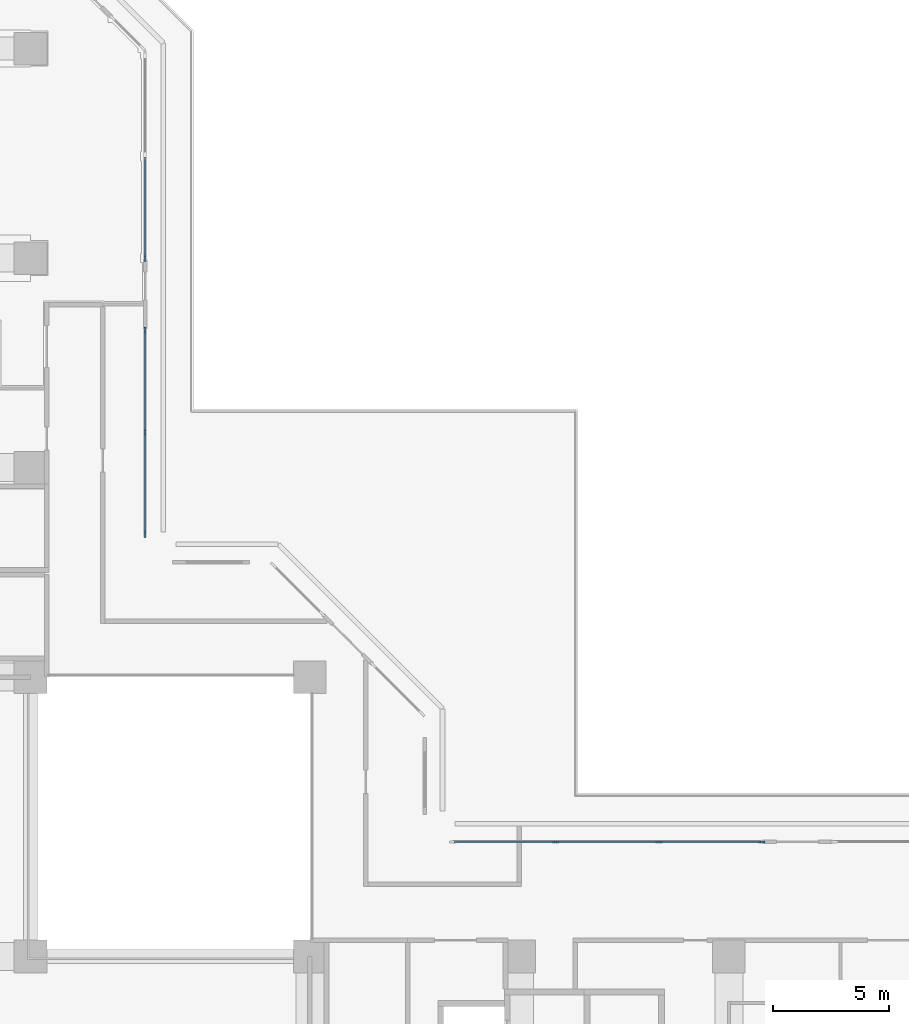
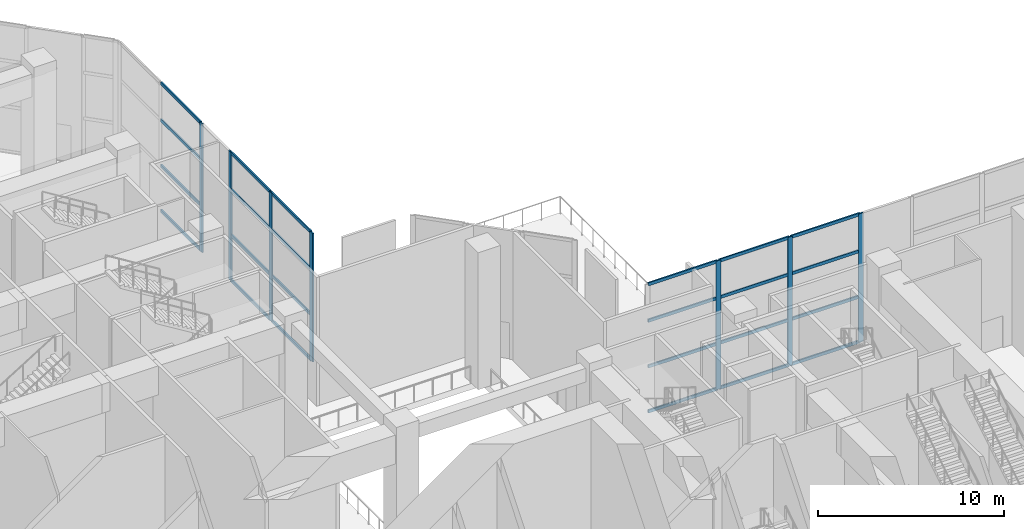
# One storey, part 5 of 28: 31 members, 3 elements without a shape of their own.
"""IFC4 building model written with IfcOpenShell, lengths in metres."""

from ifc_helpers import new_model, si_unit, direction, frame, origin, origin_2d, place, context, subcontext, project, spatial, rectangle, extrude, material, layer, layer_set, material_profile, profile_set, type_object, element, aggregate, save


model = new_model("IFC4")

# Units and contexts
model_context = context("Model", 3, precision=1e-05, world=origin(), true_north=direction((0.0, 1.0)))
body_context = subcontext(model_context, "Body", "Model", "MODEL_VIEW")
ifc_project = project(units=[si_unit("LENGTHUNIT", "METRE"), si_unit("AREAUNIT", "SQUARE_METRE"), si_unit("VOLUMEUNIT", "CUBIC_METRE"), si_unit("PLANEANGLEUNIT", "RADIAN"), si_unit("MASSUNIT", "GRAM", prefix="KILO")], contexts=[model_context])

# Site, building, storey
site_placement = place(None, origin())
site = spatial("IfcSite", under=ifc_project, at=site_placement, CompositionType="ELEMENT")
building_placement = place(site_placement, origin())
building = spatial("IfcBuilding", under=site, at=building_placement, Name="Chenar Terraces", CompositionType="ELEMENT")
storey_placement = place(building_placement, frame((0.0, 0.0, 26.39990234375)))
storey = spatial("IfcBuildingStorey", under=building, at=storey_placement, Name="L05", CompositionType="ELEMENT", Elevation=26.39990234375)

# Curtain wall, members
ifc_material_1 = material(Name="Aluminium framed glazing", Category="aluminium")
ifc_layer = layer(ifc_material_1, 0.14990234375)
ifc_layer_set = layer_set([ifc_layer], Name="Aluminium framed glazing")
curtain_wall_type = type_object("IfcCurtainWallType", Name="Hall curtain wall", PredefinedType="NOTDEFINED", material=ifc_layer_set)
placement = place(storey_placement, origin())
curtain_wall_1 = element("IfcCurtainWall", 1, at=placement, inside=storey, type_object=curtain_wall_type, Name="Hall curtain wall", PredefinedType="NOTDEFINED")
ifc_material_2 = material(Name="Aluminium", Category="aluminium")
ifc_material_profile_1 = material_profile(ifc_material_2, rectangle(XDim=0.090087890625, YDim=0.300048828125, at=origin_2d()), Name="Hall glazing mullion 90 x 300")
ifc_profile_set_1 = profile_set([ifc_material_profile_1], Name="Aluminium")
member_type_1 = type_object("IfcMemberType", Name="Hall glazing mullion 90 x 300", PredefinedType="MULLION", material=ifc_profile_set_1)
member_1_placement = place(storey_placement, frame((55.39208984375, 28.925048828125, 0.0), z_axis=(0.0, 0.0, 1.0), x_axis=(0.0, -1.0, 0.0)))
member_1 = element("IfcMember", 2, at=member_1_placement, type_object=member_type_1, Name="CW5-02c1 mullion 1", PredefinedType="MULLION", context=body_context, shape_type="SweptSolid", body=[
    extrude(rectangle(XDim=0.090087890625, YDim=0.300048828125, at=origin_2d()), origin(), (0.0, 0.0, 1.0), 8.4501953125),
])
member_2_placement = place(storey_placement, frame((50.991455078125, 28.925048828125, 0.0), z_axis=(0.0, 0.0, 1.0), x_axis=(0.0, -1.0, 0.0)))
member_2 = element("IfcMember", 3, at=member_2_placement, type_object=member_type_1, Name="CW5-02c1 mullion 2", PredefinedType="MULLION", context=body_context, shape_type="SweptSolid", body=[
    extrude(rectangle(XDim=0.090087890625, YDim=0.300048828125, at=origin_2d()), origin(), (0.0, 0.0, 1.0), 8.4501953125),
])
member_3_placement = place(storey_placement, frame((46.545654296875, 28.925048828125, 0.0), z_axis=(0.0, 0.0, 1.0), x_axis=(0.0, -1.0, 0.0)))
member_3 = element("IfcMember", 4, at=member_3_placement, type_object=member_type_1, Name="CW5-02c1 mullion 3", PredefinedType="MULLION", context=body_context, shape_type="SweptSolid", body=[
    extrude(rectangle(XDim=0.090087890625, YDim=0.300048828125, at=origin_2d()), origin(), (0.0, 0.0, 1.0), 8.4501953125),
])

curtain_wall_2 = element("IfcCurtainWall", 5, at=placement, inside=storey, type_object=curtain_wall_type, Name="Hall curtain wall", PredefinedType="NOTDEFINED")
member_4_placement = place(storey_placement, frame((28.925048828125, 42.144775390625, 0.0), z_axis=(0.0, 0.0, 1.0), x_axis=(-1.0, 0.0, 0.0)))
member_4 = element("IfcMember", 6, at=member_4_placement, type_object=member_type_1, Name="CW5-06c0 mullion 1", PredefinedType="MULLION", context=body_context, shape_type="SweptSolid", body=[
    extrude(rectangle(XDim=0.090087890625, YDim=0.300048828125, at=origin_2d()), origin(), (0.0, 0.0, 1.0), 8.4501953125),
])
member_5_placement = place(storey_placement, frame((28.925048828125, 46.5185546875, 0.0), z_axis=(0.0, 0.0, 1.0), x_axis=(-1.0, 0.0, 0.0)))
member_5 = element("IfcMember", 7, at=member_5_placement, type_object=member_type_1, Name="CW5-06c0 mullion 2", PredefinedType="MULLION", context=body_context, shape_type="SweptSolid", body=[
    extrude(rectangle(XDim=0.090087890625, YDim=0.300048828125, at=origin_2d()), origin(), (0.0, 0.0, 1.0), 8.4501953125),
])
member_6_placement = place(storey_placement, frame((28.925048828125, 50.89208984375, 0.0), z_axis=(0.0, 0.0, 1.0), x_axis=(-1.0, 0.0, 0.0)))
member_6 = element("IfcMember", 8, at=member_6_placement, type_object=member_type_1, Name="CW5-06c0 mullion 3", PredefinedType="MULLION", context=body_context, shape_type="SweptSolid", body=[
    extrude(rectangle(XDim=0.090087890625, YDim=0.300048828125, at=origin_2d()), origin(), (0.0, 0.0, 1.0), 8.4501953125),
])

# Curtain wall, member
curtain_wall_3 = element("IfcCurtainWall", 9, at=placement, inside=storey, type_object=curtain_wall_type, Name="Hall curtain wall", PredefinedType="NOTDEFINED")
member_7_placement = place(storey_placement, frame((28.925048828125, 54.007080078125, 0.0), z_axis=(0.0, 0.0, 1.0), x_axis=(-1.0, 0.0, 0.0)))
member_7 = element("IfcMember", 10, at=member_7_placement, type_object=member_type_1, Name="CW5-06c1 mullion 1", PredefinedType="MULLION", context=body_context, shape_type="SweptSolid", body=[
    extrude(rectangle(XDim=0.090087890625, YDim=0.300048828125, at=origin_2d()), origin(), (0.0, 0.0, 1.0), 8.4501953125),
])

# Member
ifc_material_3 = material(Name="Aluminium", Category="aluminium")
ifc_material_profile_2 = material_profile(ifc_material_3, rectangle(XDim=0.090087890625, YDim=0.199951171875, at=origin_2d()), Name="Hall glazing transom 90 x 200")
ifc_profile_set_2 = profile_set([ifc_material_profile_2], Name="Aluminium")
member_type_2 = type_object("IfcMemberType", Name="Hall glazing transom 90 x 200", PredefinedType="USERDEFINED", material=ifc_profile_set_2)
member_8_placement = place(storey_placement, frame((55.34716796875, 28.925048828125, 0.045166015625), z_axis=(-1.0, 0.0, 0.0), x_axis=(0.0, -1.0, 0.0)))
member_8 = element("IfcMember", 11, at=member_8_placement, type_object=member_type_2, Name="CW5-02c1 transom 1.1", ObjectType="TRANSOM", PredefinedType="USERDEFINED", context=body_context, shape_type="SweptSolid", body=[
    extrude(rectangle(XDim=0.090087890625, YDim=0.199951171875, at=origin_2d()), origin(), (0.0, 0.0, 1.0), 4.310791015625),
])

member_9_placement = place(storey_placement, frame((55.34716796875, 28.925048828125, 3.0), z_axis=(-1.0, 0.0, 0.0), x_axis=(0.0, -1.0, 0.0)))
member_9 = element("IfcMember", 12, at=member_9_placement, type_object=member_type_2, Name="CW5-02c1 transom 1.2", ObjectType="TRANSOM", PredefinedType="USERDEFINED", context=body_context, shape_type="SweptSolid", body=[
    extrude(rectangle(XDim=0.090087890625, YDim=0.199951171875, at=origin_2d()), origin(), (0.0, 0.0, 1.0), 4.310791015625),
])

member_10_placement = place(storey_placement, frame((55.34716796875, 28.925048828125, 6.0), z_axis=(-1.0, 0.0, 0.0), x_axis=(0.0, -1.0, 0.0)))
member_10 = element("IfcMember", 13, at=member_10_placement, type_object=member_type_2, Name="CW5-02c1 transom 1.3", ObjectType="TRANSOM", PredefinedType="USERDEFINED", context=body_context, shape_type="SweptSolid", body=[
    extrude(rectangle(XDim=0.090087890625, YDim=0.199951171875, at=origin_2d()), origin(), (0.0, 0.0, 1.0), 4.310791015625),
])

member_11_placement = place(storey_placement, frame((55.34716796875, 28.925048828125, 8.405029296875), z_axis=(-1.0, 0.0, 0.0), x_axis=(0.0, -1.0, 0.0)))
member_11 = element("IfcMember", 14, at=member_11_placement, type_object=member_type_2, Name="CW5-02c1 transom 1.4", ObjectType="TRANSOM", PredefinedType="USERDEFINED", context=body_context, shape_type="SweptSolid", body=[
    extrude(rectangle(XDim=0.090087890625, YDim=0.199951171875, at=origin_2d()), origin(), (0.0, 0.0, 1.0), 4.310791015625),
])

member_12_placement = place(storey_placement, frame((50.9462890625, 28.925048828125, 0.045166015625), z_axis=(-1.0, 0.0, 0.0), x_axis=(0.0, -1.0, 0.0)))
member_12 = element("IfcMember", 15, at=member_12_placement, type_object=member_type_2, Name="CW5-02c1 transom 2.1", ObjectType="TRANSOM", PredefinedType="USERDEFINED", context=body_context, shape_type="SweptSolid", body=[
    extrude(rectangle(XDim=0.090087890625, YDim=0.199951171875, at=origin_2d()), origin(), (0.0, 0.0, 1.0), 4.355712890625),
])

member_13_placement = place(storey_placement, frame((50.9462890625, 28.925048828125, 3.0), z_axis=(-1.0, 0.0, 0.0), x_axis=(0.0, -1.0, 0.0)))
member_13 = element("IfcMember", 16, at=member_13_placement, type_object=member_type_2, Name="CW5-02c1 transom 2.2", ObjectType="TRANSOM", PredefinedType="USERDEFINED", context=body_context, shape_type="SweptSolid", body=[
    extrude(rectangle(XDim=0.090087890625, YDim=0.199951171875, at=origin_2d()), origin(), (0.0, 0.0, 1.0), 4.355712890625),
])

member_14_placement = place(storey_placement, frame((50.9462890625, 28.925048828125, 6.0), z_axis=(-1.0, 0.0, 0.0), x_axis=(0.0, -1.0, 0.0)))
member_14 = element("IfcMember", 17, at=member_14_placement, type_object=member_type_2, Name="CW5-02c1 transom 2.3", ObjectType="TRANSOM", PredefinedType="USERDEFINED", context=body_context, shape_type="SweptSolid", body=[
    extrude(rectangle(XDim=0.090087890625, YDim=0.199951171875, at=origin_2d()), origin(), (0.0, 0.0, 1.0), 4.355712890625),
])

member_15_placement = place(storey_placement, frame((50.9462890625, 28.925048828125, 8.405029296875), z_axis=(-1.0, 0.0, 0.0), x_axis=(0.0, -1.0, 0.0)))
member_15 = element("IfcMember", 18, at=member_15_placement, type_object=member_type_2, Name="CW5-02c1 transom 2.4", ObjectType="TRANSOM", PredefinedType="USERDEFINED", context=body_context, shape_type="SweptSolid", body=[
    extrude(rectangle(XDim=0.090087890625, YDim=0.199951171875, at=origin_2d()), origin(), (0.0, 0.0, 1.0), 4.355712890625),
])

member_16_placement = place(storey_placement, frame((46.50048828125, 28.925048828125, 0.045166015625), z_axis=(-1.0, 0.0, 0.0), x_axis=(0.0, -1.0, 0.0)))
member_16 = element("IfcMember", 19, at=member_16_placement, type_object=member_type_2, Name="CW5-02c1 transom 3.1", ObjectType="TRANSOM", PredefinedType="USERDEFINED", context=body_context, shape_type="SweptSolid", body=[
    extrude(rectangle(XDim=0.090087890625, YDim=0.199951171875, at=origin_2d()), origin(), (0.0, 0.0, 1.0), 4.310791015625),
])

member_17_placement = place(storey_placement, frame((46.50048828125, 28.925048828125, 3.0), z_axis=(-1.0, 0.0, 0.0), x_axis=(0.0, -1.0, 0.0)))
member_17 = element("IfcMember", 20, at=member_17_placement, type_object=member_type_2, Name="CW5-02c1 transom 3.2", ObjectType="TRANSOM", PredefinedType="USERDEFINED", context=body_context, shape_type="SweptSolid", body=[
    extrude(rectangle(XDim=0.090087890625, YDim=0.199951171875, at=origin_2d()), origin(), (0.0, 0.0, 1.0), 4.310791015625),
])

member_18_placement = place(storey_placement, frame((46.50048828125, 28.925048828125, 6.0), z_axis=(-1.0, 0.0, 0.0), x_axis=(0.0, -1.0, 0.0)))
member_18 = element("IfcMember", 21, at=member_18_placement, type_object=member_type_2, Name="CW5-02c1 transom 3.3", ObjectType="TRANSOM", PredefinedType="USERDEFINED", context=body_context, shape_type="SweptSolid", body=[
    extrude(rectangle(XDim=0.090087890625, YDim=0.199951171875, at=origin_2d()), origin(), (0.0, 0.0, 1.0), 4.310791015625),
])

member_19_placement = place(storey_placement, frame((46.50048828125, 28.925048828125, 8.405029296875), z_axis=(-1.0, 0.0, 0.0), x_axis=(0.0, -1.0, 0.0)))
member_19 = element("IfcMember", 22, at=member_19_placement, type_object=member_type_2, Name="CW5-02c1 transom 3.4", ObjectType="TRANSOM", PredefinedType="USERDEFINED", context=body_context, shape_type="SweptSolid", body=[
    extrude(rectangle(XDim=0.090087890625, YDim=0.199951171875, at=origin_2d()), origin(), (0.0, 0.0, 1.0), 4.310791015625),
])

aggregate(curtain_wall_1, [member_1, member_2, member_3, member_8, member_9, member_10, member_11, member_12, member_13, member_14, member_15, member_16, member_17, member_18, member_19])

member_20_placement = place(storey_placement, frame((28.925048828125, 42.189697265625, 0.045166015625), z_axis=(0.0, 1.0, 0.0), x_axis=(-1.0, 0.0, 0.0)))
member_20 = element("IfcMember", 23, at=member_20_placement, type_object=member_type_2, Name="CW5-06c0 transom 1.1", ObjectType="TRANSOM", PredefinedType="USERDEFINED", context=body_context, shape_type="SweptSolid", body=[
    extrude(rectangle(XDim=0.090087890625, YDim=0.199951171875, at=origin_2d()), origin(), (0.0, 0.0, 1.0), 4.28369140625),
])

member_21_placement = place(storey_placement, frame((28.925048828125, 42.189697265625, 3.0), z_axis=(0.0, 1.0, 0.0), x_axis=(-1.0, 0.0, 0.0)))
member_21 = element("IfcMember", 24, at=member_21_placement, type_object=member_type_2, Name="CW5-06c0 transom 1.2", ObjectType="TRANSOM", PredefinedType="USERDEFINED", context=body_context, shape_type="SweptSolid", body=[
    extrude(rectangle(XDim=0.090087890625, YDim=0.199951171875, at=origin_2d()), origin(), (0.0, 0.0, 1.0), 4.28369140625),
])

member_22_placement = place(storey_placement, frame((28.925048828125, 42.189697265625, 6.0), z_axis=(0.0, 1.0, 0.0), x_axis=(-1.0, 0.0, 0.0)))
member_22 = element("IfcMember", 25, at=member_22_placement, type_object=member_type_2, Name="CW5-06c0 transom 1.3", ObjectType="TRANSOM", PredefinedType="USERDEFINED", context=body_context, shape_type="SweptSolid", body=[
    extrude(rectangle(XDim=0.090087890625, YDim=0.199951171875, at=origin_2d()), origin(), (0.0, 0.0, 1.0), 4.28369140625),
])

member_23_placement = place(storey_placement, frame((28.925048828125, 42.189697265625, 8.405029296875), z_axis=(0.0, 1.0, 0.0), x_axis=(-1.0, 0.0, 0.0)))
member_23 = element("IfcMember", 26, at=member_23_placement, type_object=member_type_2, Name="CW5-06c0 transom 1.4", ObjectType="TRANSOM", PredefinedType="USERDEFINED", context=body_context, shape_type="SweptSolid", body=[
    extrude(rectangle(XDim=0.090087890625, YDim=0.199951171875, at=origin_2d()), origin(), (0.0, 0.0, 1.0), 4.28369140625),
])

member_24_placement = place(storey_placement, frame((28.925048828125, 46.5634765625, 0.045166015625), z_axis=(0.0, 1.0, 0.0), x_axis=(-1.0, 0.0, 0.0)))
member_24 = element("IfcMember", 27, at=member_24_placement, type_object=member_type_2, Name="CW5-06c0 transom 2.1", ObjectType="TRANSOM", PredefinedType="USERDEFINED", context=body_context, shape_type="SweptSolid", body=[
    extrude(rectangle(XDim=0.090087890625, YDim=0.199951171875, at=origin_2d()), origin(), (0.0, 0.0, 1.0), 4.28369140625),
])

member_25_placement = place(storey_placement, frame((28.925048828125, 46.5634765625, 3.0), z_axis=(0.0, 1.0, 0.0), x_axis=(-1.0, 0.0, 0.0)))
member_25 = element("IfcMember", 28, at=member_25_placement, type_object=member_type_2, Name="CW5-06c0 transom 2.2", ObjectType="TRANSOM", PredefinedType="USERDEFINED", context=body_context, shape_type="SweptSolid", body=[
    extrude(rectangle(XDim=0.090087890625, YDim=0.199951171875, at=origin_2d()), origin(), (0.0, 0.0, 1.0), 4.28369140625),
])

member_26_placement = place(storey_placement, frame((28.925048828125, 46.5634765625, 6.0), z_axis=(0.0, 1.0, 0.0), x_axis=(-1.0, 0.0, 0.0)))
member_26 = element("IfcMember", 29, at=member_26_placement, type_object=member_type_2, Name="CW5-06c0 transom 2.3", ObjectType="TRANSOM", PredefinedType="USERDEFINED", context=body_context, shape_type="SweptSolid", body=[
    extrude(rectangle(XDim=0.090087890625, YDim=0.199951171875, at=origin_2d()), origin(), (0.0, 0.0, 1.0), 4.28369140625),
])

member_27_placement = place(storey_placement, frame((28.925048828125, 46.5634765625, 8.405029296875), z_axis=(0.0, 1.0, 0.0), x_axis=(-1.0, 0.0, 0.0)))
member_27 = element("IfcMember", 30, at=member_27_placement, type_object=member_type_2, Name="CW5-06c0 transom 2.4", ObjectType="TRANSOM", PredefinedType="USERDEFINED", context=body_context, shape_type="SweptSolid", body=[
    extrude(rectangle(XDim=0.090087890625, YDim=0.199951171875, at=origin_2d()), origin(), (0.0, 0.0, 1.0), 4.28369140625),
])

aggregate(curtain_wall_2, [member_4, member_5, member_6, member_20, member_21, member_22, member_23, member_24, member_25, member_26, member_27])

member_28_placement = place(storey_placement, frame((28.925048828125, 54.05224609375, 0.045166015625), z_axis=(0.0, 1.0, 0.0), x_axis=(-1.0, 0.0, 0.0)))
member_28 = element("IfcMember", 31, at=member_28_placement, type_object=member_type_2, Name="CW5-06c1 transom 1.1", ObjectType="TRANSOM", PredefinedType="USERDEFINED", context=body_context, shape_type="SweptSolid", body=[
    extrude(rectangle(XDim=0.090087890625, YDim=0.199951171875, at=origin_2d()), origin(), (0.0, 0.0, 1.0), 4.28369140625),
])

member_29_placement = place(storey_placement, frame((28.925048828125, 54.05224609375, 3.0), z_axis=(0.0, 1.0, 0.0), x_axis=(-1.0, 0.0, 0.0)))
member_29 = element("IfcMember", 32, at=member_29_placement, type_object=member_type_2, Name="CW5-06c1 transom 1.2", ObjectType="TRANSOM", PredefinedType="USERDEFINED", context=body_context, shape_type="SweptSolid", body=[
    extrude(rectangle(XDim=0.090087890625, YDim=0.199951171875, at=origin_2d()), origin(), (0.0, 0.0, 1.0), 4.28369140625),
])

member_30_placement = place(storey_placement, frame((28.925048828125, 54.05224609375, 6.0), z_axis=(0.0, 1.0, 0.0), x_axis=(-1.0, 0.0, 0.0)))
member_30 = element("IfcMember", 33, at=member_30_placement, type_object=member_type_2, Name="CW5-06c1 transom 1.3", ObjectType="TRANSOM", PredefinedType="USERDEFINED", context=body_context, shape_type="SweptSolid", body=[
    extrude(rectangle(XDim=0.090087890625, YDim=0.199951171875, at=origin_2d()), origin(), (0.0, 0.0, 1.0), 4.28369140625),
])

member_31_placement = place(storey_placement, frame((28.925048828125, 54.05224609375, 8.405029296875), z_axis=(0.0, 1.0, 0.0), x_axis=(-1.0, 0.0, 0.0)))
member_31 = element("IfcMember", 34, at=member_31_placement, type_object=member_type_2, Name="CW5-06c1 transom 1.4", ObjectType="TRANSOM", PredefinedType="USERDEFINED", context=body_context, shape_type="SweptSolid", body=[
    extrude(rectangle(XDim=0.090087890625, YDim=0.199951171875, at=origin_2d()), origin(), (0.0, 0.0, 1.0), 4.28369140625),
])

aggregate(curtain_wall_3, [member_7, member_28, member_29, member_30, member_31])

save(model, "model.ifc")
